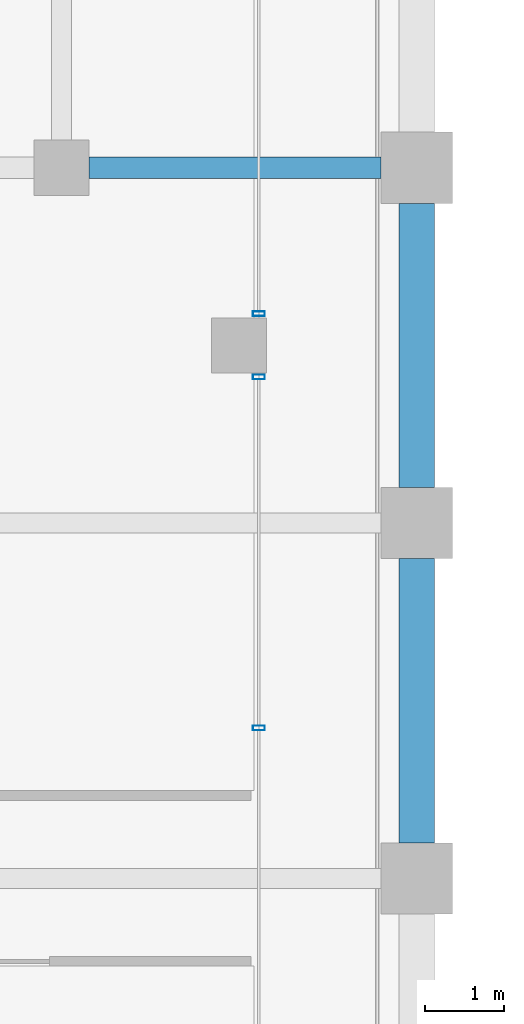
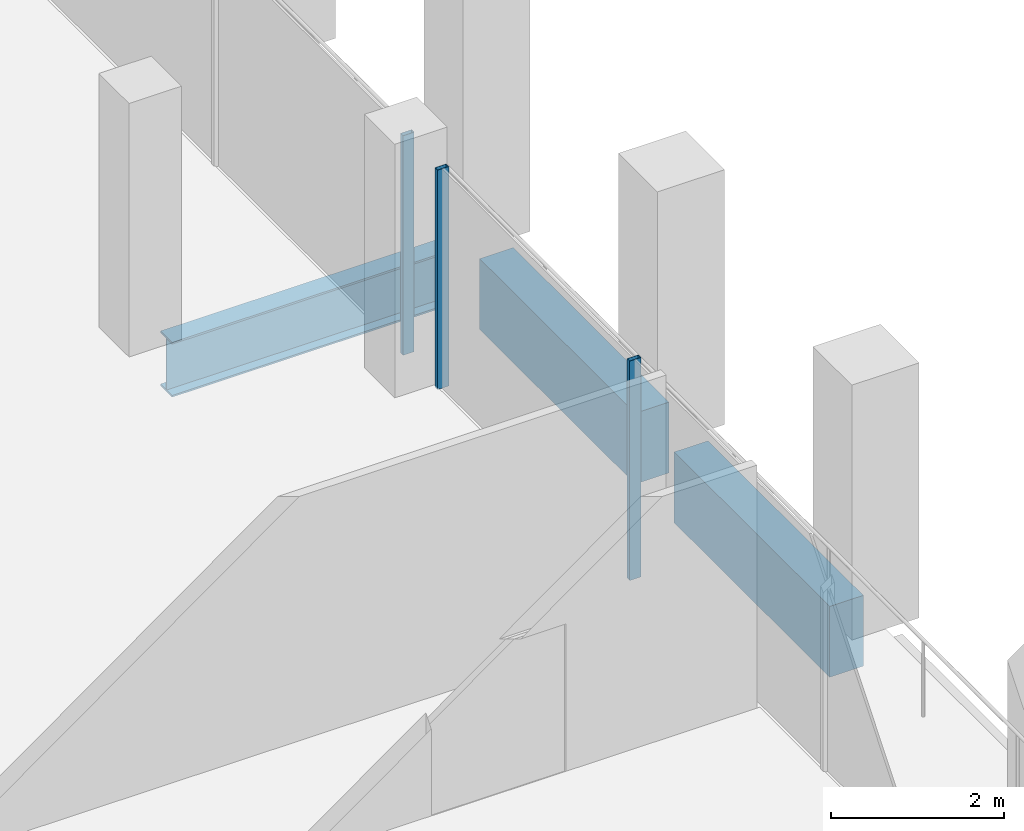
# One storey, part 19 of 40: 3 beams, 3 members, 2 elements without a shape of their own.
"""IFC4 building model written with IfcOpenShell, lengths in metres."""

from ifc_helpers import new_model, si_unit, direction, frame, origin, origin_2d, place, context, subcontext, project, spatial, rectangle, hollow_rectangle, i_section, extrude, material, material_profile, profile_set, type_object, element, aggregate, save


model = new_model("IFC4")

# Units and contexts
model_context = context("Model", 3, precision=1e-05, world=origin(), true_north=direction((0.0, 1.0)))
body_context = subcontext(model_context, "Body", "Model", "MODEL_VIEW")
ifc_project = project(units=[si_unit("LENGTHUNIT", "METRE"), si_unit("AREAUNIT", "SQUARE_METRE"), si_unit("VOLUMEUNIT", "CUBIC_METRE"), si_unit("PLANEANGLEUNIT", "RADIAN"), si_unit("MASSUNIT", "GRAM", prefix="KILO")], contexts=[model_context])

# Site, building, storey
site_placement = place(None, origin())
site = spatial("IfcSite", under=ifc_project, at=site_placement, CompositionType="ELEMENT")
building_placement = place(site_placement, origin())
building = spatial("IfcBuilding", under=site, at=building_placement, Name="Altepetl Exchange Towers", CompositionType="ELEMENT")
storey_placement = place(building_placement, frame((0.0, 0.0, 158.199951171875)))
storey = spatial("IfcBuildingStorey", under=building, at=storey_placement, Name="L39", CompositionType="ELEMENT", Elevation=158.199951171875)

# Beam
ifc_material_1 = material(Name="Steel S355", Category="steel")
ifc_material_profile_1 = material_profile(ifc_material_1, i_section(OverallWidth=0.26806640625, OverallDepth=0.77392578125, WebThickness=0.015380859375, FlangeThickness=0.025390625, at=origin_2d()), Name="W30X132")
ifc_profile_set_1 = profile_set([ifc_material_profile_1], Name="Steel S355")
beam_type_1 = type_object("IfcBeamType", Name="Girder W30X132", PredefinedType="BEAM", material=ifc_profile_set_1)
beam_placement = place(storey_placement, frame((67.85009765625, 58.5, -0.536865234375), z_axis=(1.0, 0.0, 0.0), x_axis=(0.0, 1.0, 0.0)))
element("IfcBeam", 1, at=beam_placement, inside=storey, type_object=beam_type_1, Name="gd:A:L39:002", PredefinedType="BEAM", context=body_context, shape_type="SweptSolid", body=[
    extrude(i_section(OverallWidth=0.26806640625, OverallDepth=0.77392578125, WebThickness=0.015380859375, FlangeThickness=0.025390625, at=origin_2d()), origin(), (0.0, 0.0, 1.0), 3.699951171875),
])

# Curtain wall, members
ifc_material_2 = material(Name="Aluminium 6063-T6 glazing", Category="aluminium")
curtain_wall_type = type_object("IfcCurtainWallType", Name="Loggia glazing system", PredefinedType="NOTDEFINED", material=ifc_material_2)
curtain_wall_1_placement = place(storey_placement, origin())
curtain_wall_1 = element("IfcCurtainWall", 2, at=curtain_wall_1_placement, inside=storey, type_object=curtain_wall_type, Name="CW1 run", PredefinedType="NOTDEFINED")
ifc_material_3 = material(Name="Aluminium 6063-T6", Category="aluminium")
ifc_material_profile_2 = material_profile(ifc_material_3, hollow_rectangle(XDim=0.06005859375, YDim=0.14990234375, WallThickness=0.0029296875, at=origin_2d()), Name="Mullion 60x150 aluminium")
ifc_profile_set_2 = profile_set([ifc_material_profile_2], Name="Aluminium 6063-T6")
member_type = type_object("IfcMemberType", Name="Mullion 60x150 aluminium", PredefinedType="MULLION", material=ifc_profile_set_2)
member_1_placement = place(storey_placement, frame((70.0, 51.404052734375, 0.0), z_axis=(0.0, 0.0, 1.0), x_axis=(0.0, 1.0, 0.0)))
member_1 = element("IfcMember", 3, at=member_1_placement, type_object=member_type, Name="MU1 mullion", PredefinedType="MULLION", context=body_context, shape_type="SweptSolid", body=[
    extrude(hollow_rectangle(XDim=0.06005859375, YDim=0.14990234375, WallThickness=0.0029296875, at=origin_2d()), origin(), (0.0, 0.0, 1.0), 3.10009765625),
])
member_2_placement = place(storey_placement, frame((70.0, 55.85009765625, 0.0), z_axis=(0.0, 0.0, 1.0), x_axis=(0.0, 1.0, 0.0)))
member_2 = element("IfcMember", 4, at=member_2_placement, type_object=member_type, Name="MU1 mullion", PredefinedType="MULLION", context=body_context, shape_type="SweptSolid", body=[
    extrude(hollow_rectangle(XDim=0.06005859375, YDim=0.14990234375, WallThickness=0.0029296875, at=origin_2d()), origin(), (0.0, 0.0, 1.0), 3.10009765625),
])
aggregate(curtain_wall_1, [member_1, member_2])

# Curtain wall, member
curtain_wall_2_placement = place(storey_placement, origin())
curtain_wall_2 = element("IfcCurtainWall", 5, at=curtain_wall_2_placement, inside=storey, type_object=curtain_wall_type, Name="CW1 run", PredefinedType="NOTDEFINED")
member_3_placement = place(storey_placement, frame((70.0, 56.64990234375, 0.0), z_axis=(0.0, 0.0, 1.0), x_axis=(0.0, 1.0, 0.0)))
member_3 = element("IfcMember", 6, at=member_3_placement, type_object=member_type, Name="MU1 mullion", PredefinedType="MULLION", context=body_context, shape_type="SweptSolid", body=[
    extrude(hollow_rectangle(XDim=0.06005859375, YDim=0.14990234375, WallThickness=0.0029296875, at=origin_2d()), origin(), (0.0, 0.0, 1.0), 3.10009765625),
])
aggregate(curtain_wall_2, [member_3])

# Beams
ifc_material_4 = material(Name="Concrete C50/60 precast with cantera amarilla facing", Category="concrete")
ifc_material_profile_3 = material_profile(ifc_material_4, rectangle(XDim=0.449951171875, YDim=1.0, at=origin_2d()), Name="450 x 1000")
ifc_profile_set_3 = profile_set([ifc_material_profile_3], Name="Concrete C50/60 precast with cantera amarilla facing")
beam_type_2 = type_object("IfcBeamType", Name="Spandrel beam 450x1000 cantera amarilla", PredefinedType="SPANDREL", material=ifc_profile_set_3)
for number, where, z_axis, x_axis, name in (
    (7, (72.0, 49.949951171875, -0.64990234375), (0.0, 1.0, 0.0), (-1.0, 0.0, 0.0), "sp:A:L39:016"),
    (8, (72.0, 54.449951171875, -0.64990234375), (0.0, 1.0, 0.0), (-1.0, 0.0, 0.0), "sp:A:L39:017"),
):
    element("IfcBeam", number, at=place(storey_placement, frame(where, z_axis=z_axis, x_axis=x_axis)), inside=storey, type_object=beam_type_2, Name=name, PredefinedType="SPANDREL", context=body_context, shape_type="SweptSolid", body=[
        extrude(rectangle(XDim=0.449951171875, YDim=1.0, at=origin_2d()), origin(), (0.0, 0.0, 1.0), 3.60009765625),
    ])

save(model, "model.ifc")
